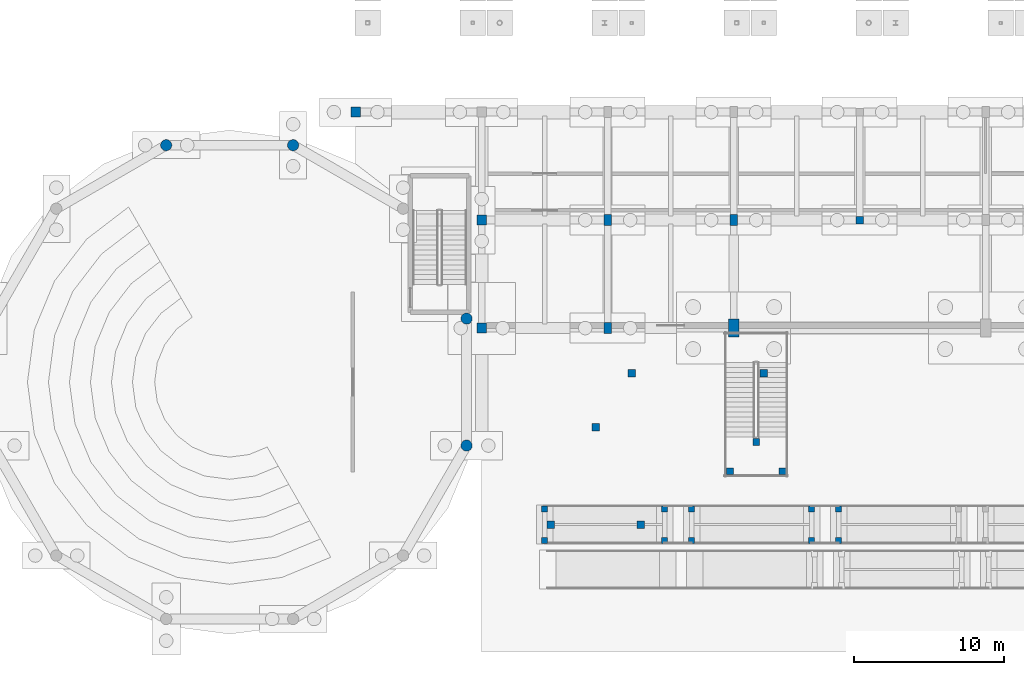
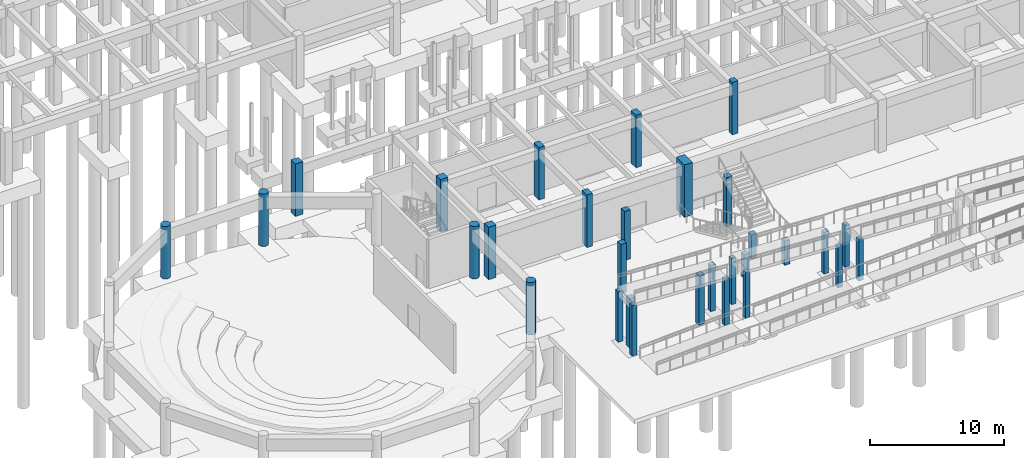
# One storey, part 16 of 80: 30 columns.
"""IFC4 building model written with IfcOpenShell, lengths in metres."""

from ifc_helpers import new_model, si_unit, direction, frame, origin, origin_2d, place, context, subcontext, project, spatial, rectangle, circle, extrude, material, material_profile, profile_set, type_object, element, save


model = new_model("IFC4")

# Units and contexts
model_context = context("Model", 3, precision=1e-05, world=origin(), true_north=direction((0.0, 1.0)))
body_context = subcontext(model_context, "Body", "Model", "MODEL_VIEW")
ifc_project = project(units=[si_unit("LENGTHUNIT", "METRE"), si_unit("AREAUNIT", "SQUARE_METRE"), si_unit("VOLUMEUNIT", "CUBIC_METRE"), si_unit("PLANEANGLEUNIT", "RADIAN"), si_unit("MASSUNIT", "GRAM", prefix="KILO")], contexts=[model_context])

# Site, building, storey
site_placement = place(None, origin())
site = spatial("IfcSite", under=ifc_project, at=site_placement, CompositionType="ELEMENT")
building_placement = place(site_placement, origin())
building = spatial("IfcBuilding", under=site, at=building_placement, Name="Malvenik Polytechnic", CompositionType="ELEMENT")
storey_placement = place(building_placement, frame((0.0, 0.0, -4.800048828125)))
storey = spatial("IfcBuildingStorey", under=building, at=storey_placement, Name="B1", CompositionType="ELEMENT", Elevation=-4.800048828125)

# Columns
ifc_material_1 = material(Name="Concrete C35/45", Category="concrete")
ifc_material_profile_1 = material_profile(ifc_material_1, rectangle(XDim=0.64990234375, YDim=0.64990234375, at=origin_2d()), Name="RC COL 650x650")
ifc_profile_set_1 = profile_set([ifc_material_profile_1], Name="Concrete C35/45")
column_type_1 = type_object("IfcColumnType", Name="STR-COL-C-05", PredefinedType="COLUMN", material=ifc_profile_set_1)
for number, where, z_axis, x_axis, name in (
    (1, (25.199951171875, 36.0, 0.0), (0.0, 0.0, 1.0), (1.0, 0.0, 0.0), "Column C-05 B1 (25.2,36.0)"),
    (2, (33.60009765625, 21.60009765625, 0.0), (0.0, 0.0, 1.0), (1.0, 0.0, 0.0), "Column C-05 B1 (33.6,21.6)"),
    (3, (33.60009765625, 28.800048828125, 0.0), (0.0, 0.0, 1.0), (1.0, 0.0, 0.0), "Column C-05 B1 (33.6,28.8)"),
):
    element("IfcColumn", number, at=place(storey_placement, frame(where, z_axis=z_axis, x_axis=x_axis)), inside=storey, type_object=column_type_1, Name=name, PredefinedType="COLUMN", context=body_context, shape_type="SweptSolid", body=[
        extrude(rectangle(XDim=0.64990234375, YDim=0.64990234375, at=origin_2d()), origin(), (0.0, 0.0, 1.0), 4.800048828125),
    ])
ifc_material_profile_2 = material_profile(ifc_material_1, rectangle(XDim=0.5, YDim=0.5, at=origin_2d()), Name="RC COL 500x500")
ifc_profile_set_2 = profile_set([ifc_material_profile_2], Name="Concrete C35/45")
column_type_2 = type_object("IfcColumnType", Name="STR-COL-C-08", PredefinedType="COLUMN", material=ifc_profile_set_2)
column_1_placement = place(storey_placement, frame((58.800048828125, 28.800048828125, 0.0), z_axis=(0.0, 0.0, 1.0), x_axis=(1.0, 0.0, 0.0)))
element("IfcColumn", 4, at=column_1_placement, inside=storey, type_object=column_type_2, Name="Column C-08 B1 (58.8,28.8)", PredefinedType="COLUMN", context=body_context, shape_type="SweptSolid", body=[
    extrude(rectangle(XDim=0.5, YDim=0.5, at=origin_2d()), origin(), (0.0, 0.0, 1.0), 4.800048828125),
])
for number, where, z_axis, x_axis, name in (
    (5, (43.60009765625, 18.60009765625, 0.0), (0.0, 0.0, 1.0), (1.0, 0.0, 0.0), "Forecourt Terrace Pier (43.6,18.6)"),
    (6, (52.39990234375, 18.60009765625, 0.0), (0.0, 0.0, 1.0), (1.0, 0.0, 0.0), "Forecourt Terrace Pier (52.4,18.6)"),
    (7, (38.199951171875, 8.5, 0.0), (0.0, 0.0, 1.0), (1.0, 0.0, 0.0), "Forecourt Ramp Walkway Pier (38.2,8.5)"),
    (8, (44.199951171875, 8.5, 0.0), (0.0, 0.0, 1.0), (1.0, 0.0, 0.0), "Forecourt Ramp Walkway Pier (44.2,8.5)"),
    (9, (41.199951171875, 15.0, 0.0), (0.0, 0.0, 1.0), (1.0, 0.0, 0.0), "Forecourt Ramp Walkway Pier (41.2,15.0)"),
):
    element("IfcColumn", number, at=place(storey_placement, frame(where, z_axis=z_axis, x_axis=x_axis)), inside=storey, type_object=column_type_2, Name=name, PredefinedType="COLUMN", context=body_context, shape_type="SweptSolid", body=[
        extrude(rectangle(XDim=0.5, YDim=0.5, at=origin_2d()), origin(), (0.0, 0.0, 1.0), 4.5),
    ])
ifc_material_profile_3 = material_profile(ifc_material_1, rectangle(XDim=0.449951171875, YDim=0.449951171875, at=origin_2d()), Name="RC COL 450x450")
ifc_profile_set_3 = profile_set([ifc_material_profile_3], Name="Concrete C35/45")
column_type_3 = type_object("IfcColumnType", Name="STR-COL-C-09", PredefinedType="COLUMN", material=ifc_profile_set_3)
for number, where, z_axis, x_axis, name in (
    (10, (50.14990234375, 12.050048828125, 0.0), (0.0, 0.0, 1.0), (1.0, 0.0, 0.0), "Forecourt Stair Landing Pier ST-10-1"),
    (11, (53.64990234375, 12.050048828125, 0.0), (0.0, 0.0, 1.0), (1.0, 0.0, 0.0), "Forecourt Stair Landing Pier ST-10-2"),
    (12, (51.89990234375, 14.0, 0.0), (0.0, 0.0, 1.0), (1.0, 0.0, 0.0), "Forecourt Stair Landing Pier ST-10-3"),
):
    element("IfcColumn", number, at=place(storey_placement, frame(where, z_axis=z_axis, x_axis=x_axis)), inside=storey, type_object=column_type_3, Name=name, PredefinedType="COLUMN", context=body_context, shape_type="SweptSolid", body=[
        extrude(rectangle(XDim=0.449951171875, YDim=0.449951171875, at=origin_2d()), origin(), (0.0, 0.0, 1.0), 2.199951171875),
    ])
ifc_material_2 = material(Name="Concrete C30/37", Category="concrete")
ifc_material_profile_4 = material_profile(ifc_material_2, rectangle(XDim=0.39990234375, YDim=0.39990234375, at=origin_2d()), Name="RC COL 400x400")
ifc_profile_set_4 = profile_set([ifc_material_profile_4], Name="Concrete C30/37")
column_type_4 = type_object("IfcColumnType", Name="STR-COL-C-10", PredefinedType="COLUMN", material=ifc_profile_set_4)
for number, where, z_axis, x_axis, name in (
    (13, (57.39990234375, 7.449951171875, 0.0), (0.0, 0.0, 1.0), (1.0, 0.0, 0.0), "Forecourt Ramp Pier RB-05-7S"),
    (14, (57.39990234375, 9.550048828125, 0.0), (0.0, 0.0, 1.0), (1.0, 0.0, 0.0), "Forecourt Ramp Pier RB-05-7N"),
    (15, (55.60009765625, 7.449951171875, 0.0), (0.0, 0.0, 1.0), (1.0, 0.0, 0.0), "Forecourt Ramp Pier RB-05-8S"),
    (16, (55.60009765625, 9.550048828125, 0.0), (0.0, 0.0, 1.0), (1.0, 0.0, 0.0), "Forecourt Ramp Pier RB-05-8N"),
):
    element("IfcColumn", number, at=place(storey_placement, frame(where, z_axis=z_axis, x_axis=x_axis)), inside=storey, type_object=column_type_4, Name=name, PredefinedType="COLUMN", context=body_context, shape_type="SweptSolid", body=[
        extrude(rectangle(XDim=0.39990234375, YDim=0.39990234375, at=origin_2d()), origin(), (0.0, 0.0, 1.0), 3.820068359375),
    ])
for number, where, z_axis, x_axis, name in (
    (17, (47.60009765625, 7.449951171875, 0.0), (0.0, 0.0, 1.0), (1.0, 0.0, 0.0), "Forecourt Ramp Pier RB-05-9S"),
    (18, (47.60009765625, 9.550048828125, 0.0), (0.0, 0.0, 1.0), (1.0, 0.0, 0.0), "Forecourt Ramp Pier RB-05-9N"),
    (19, (45.800048828125, 7.449951171875, 0.0), (0.0, 0.0, 1.0), (1.0, 0.0, 0.0), "Forecourt Ramp Pier RB-05-10S"),
    (20, (45.800048828125, 9.550048828125, 0.0), (0.0, 0.0, 1.0), (1.0, 0.0, 0.0), "Forecourt Ramp Pier RB-05-10N"),
):
    element("IfcColumn", number, at=place(storey_placement, frame(where, z_axis=z_axis, x_axis=x_axis)), inside=storey, type_object=column_type_4, Name=name, PredefinedType="COLUMN", context=body_context, shape_type="SweptSolid", body=[
        extrude(rectangle(XDim=0.39990234375, YDim=0.39990234375, at=origin_2d()), origin(), (0.0, 0.0, 1.0), 4.219970703125),
    ])
for number, where, z_axis, x_axis, name in (
    (21, (37.800048828125, 7.449951171875, 0.0), (0.0, 0.0, 1.0), (1.0, 0.0, 0.0), "Forecourt Ramp Pier RB-05-11S"),
    (22, (37.800048828125, 9.550048828125, 0.0), (0.0, 0.0, 1.0), (1.0, 0.0, 0.0), "Forecourt Ramp Pier RB-05-11N"),
):
    element("IfcColumn", number, at=place(storey_placement, frame(where, z_axis=z_axis, x_axis=x_axis)), inside=storey, type_object=column_type_4, Name=name, PredefinedType="COLUMN", context=body_context, shape_type="SweptSolid", body=[
        extrude(rectangle(XDim=0.39990234375, YDim=0.39990234375, at=origin_2d()), origin(), (0.0, 0.0, 1.0), 4.6201171875),
    ])
ifc_material_3 = material(Name="Concrete C40/50", Category="concrete")
ifc_material_profile_5 = material_profile(ifc_material_3, rectangle(XDim=0.699951171875, YDim=1.199951171875, at=origin_2d()), Name="RC COL 1200x700")
ifc_profile_set_5 = profile_set([ifc_material_profile_5], Name="Concrete C40/50")
column_type_5 = type_object("IfcColumnType", Name="STR-COL-C-13", PredefinedType="COLUMN", material=ifc_profile_set_5)
column_2_placement = place(storey_placement, frame((50.39990234375, 21.60009765625, 0.0), z_axis=(0.0, 0.0, 1.0), x_axis=(1.0, 0.0, 0.0)))
element("IfcColumn", 23, at=column_2_placement, inside=storey, type_object=column_type_5, Name="Column C-13 B1 (50.4,21.6)", PredefinedType="COLUMN", context=body_context, shape_type="SweptSolid", body=[
    extrude(rectangle(XDim=0.699951171875, YDim=1.199951171875, at=origin_2d()), origin(), (0.0, 0.0, 1.0), 4.800048828125),
])
ifc_material_profile_6 = material_profile(ifc_material_1, rectangle(XDim=0.5, YDim=0.75, at=origin_2d()), Name="RC COL 750x500")
ifc_profile_set_6 = profile_set([ifc_material_profile_6], Name="Concrete C35/45")
column_type_6 = type_object("IfcColumnType", Name="STR-COL-C-14", PredefinedType="COLUMN", material=ifc_profile_set_6)
for number, where, z_axis, x_axis, name in (
    (24, (42.0, 21.60009765625, 0.0), (0.0, 0.0, 1.0), (1.0, 0.0, 0.0), "Column C-14 B1 (42.0,21.6)"),
    (25, (42.0, 28.800048828125, 0.0), (0.0, 0.0, 1.0), (1.0, 0.0, 0.0), "Column C-14 B1 (42.0,28.8)"),
    (26, (50.39990234375, 28.800048828125, 0.0), (0.0, 0.0, 1.0), (1.0, 0.0, 0.0), "Column C-14 B1 (50.4,28.8)"),
):
    element("IfcColumn", number, at=place(storey_placement, frame(where, z_axis=z_axis, x_axis=x_axis)), inside=storey, type_object=column_type_6, Name=name, PredefinedType="COLUMN", context=body_context, shape_type="SweptSolid", body=[
        extrude(rectangle(XDim=0.5, YDim=0.75, at=origin_2d()), origin(), (0.0, 0.0, 1.0), 4.800048828125),
    ])
ifc_material_profile_7 = material_profile(ifc_material_3, circle(Radius=0.375, at=origin_2d()), Name="RC COL D750")
ifc_profile_set_7 = profile_set([ifc_material_profile_7], Name="Concrete C40/50")
column_type_7 = type_object("IfcColumnType", Name="STR-COL-C-16", PredefinedType="COLUMN", material=ifc_profile_set_7)
for number, where, z_axis, x_axis, name in (
    (27, (12.568115234375, 33.79296875, 0.0), (0.0, 0.0, 1.0), (1.0, 0.0, 0.0), "Column C-16 B1 (12.6,33.8)"),
    (28, (21.031982421875, 33.79296875, 0.0), (0.0, 0.0, 1.0), (1.0, 0.0, 0.0), "Column C-16 B1 (21.0,33.8)"),
    (29, (32.593017578125, 13.76806640625, 0.0), (0.0, 0.0, 1.0), (1.0, 0.0, 0.0), "Column C-16 B1 (32.6,13.8)"),
    (30, (32.593017578125, 22.23193359375, 0.0), (0.0, 0.0, 1.0), (1.0, 0.0, 0.0), "Column C-16 B1 (32.6,22.2)"),
):
    element("IfcColumn", number, at=place(storey_placement, frame(where, z_axis=z_axis, x_axis=x_axis)), inside=storey, type_object=column_type_7, Name=name, PredefinedType="COLUMN", context=body_context, shape_type="SweptSolid", body=[
        extrude(circle(Radius=0.375, at=origin_2d()), origin(), (0.0, 0.0, 1.0), 4.800048828125),
    ])

save(model, "model.ifc")
